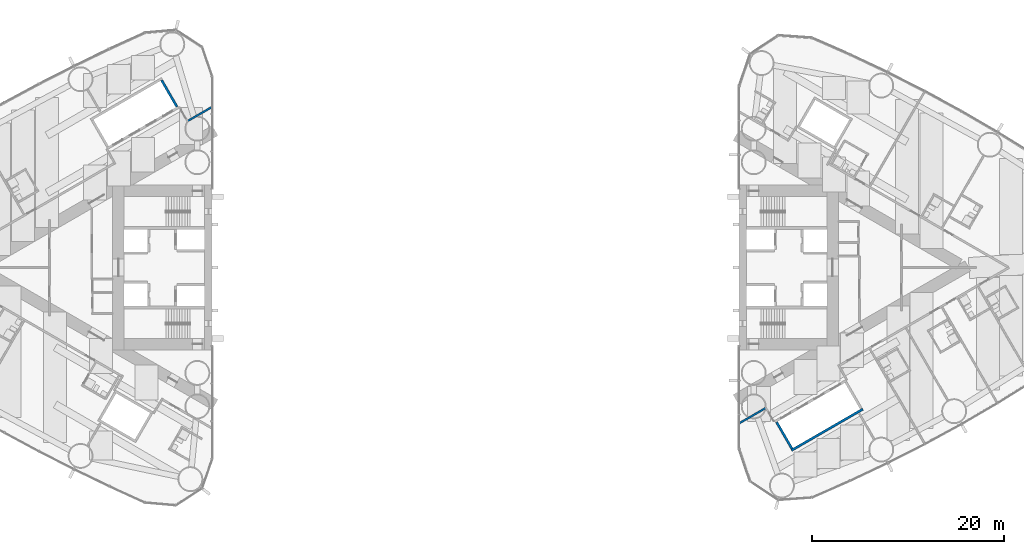
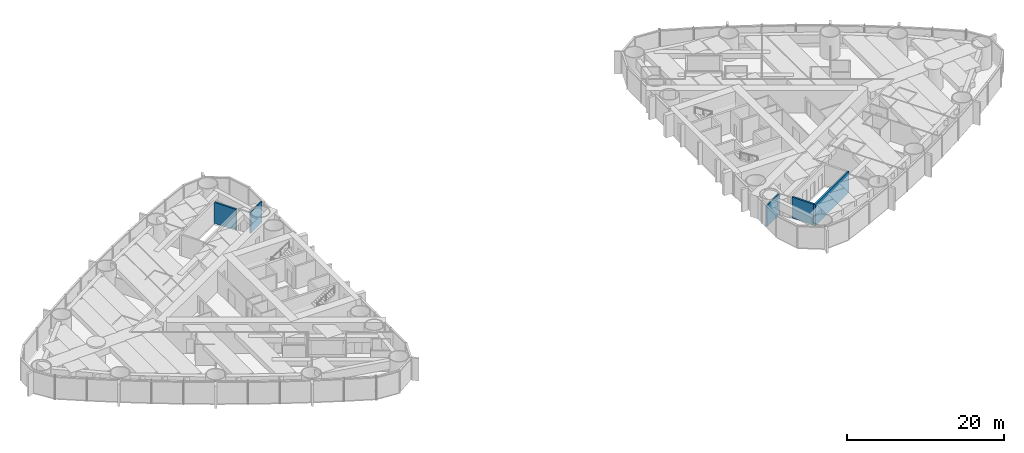
# One storey, part 13 of 19: 5 walls.
"""IFC4 building model written with IfcOpenShell, lengths in metres."""

from ifc_helpers import new_model, si_unit, direction, frame, frame_2d, origin, place, context, subcontext, project, spatial, rectangle, extrude, material, layer, layer_set, type_object, element, save


model = new_model("IFC4")

# Units and contexts
model_context = context("Model", 3, precision=1e-05, world=origin(), true_north=direction((0.0, 1.0)))
body_context = subcontext(model_context, "Body", "Model", "MODEL_VIEW")
ifc_project = project(units=[si_unit("LENGTHUNIT", "METRE"), si_unit("AREAUNIT", "SQUARE_METRE"), si_unit("VOLUMEUNIT", "CUBIC_METRE"), si_unit("PLANEANGLEUNIT", "RADIAN"), si_unit("MASSUNIT", "GRAM", prefix="KILO")], contexts=[model_context])

# Site, building, storey
site_placement = place(None, origin())
site = spatial("IfcSite", under=ifc_project, at=site_placement, CompositionType="ELEMENT")
building_placement = place(site_placement, origin())
building = spatial("IfcBuilding", under=site, at=building_placement, Name="Lancet Gate Hotel", CompositionType="ELEMENT")
storey_placement = place(building_placement, frame((0.0, 0.0, 90.60009765625)))
storey = spatial("IfcBuildingStorey", under=building, at=storey_placement, Name="L23", CompositionType="ELEMENT", Elevation=90.60009765625)

# Walls
ifc_material_1 = material(Name="Gypsum board partition")
ifc_layer_1 = layer(ifc_material_1, 0.199951171875)
ifc_layer_set_1 = layer_set([ifc_layer_1], Name="Corridor wall 200")
wall_type_1 = type_object("IfcWallType", Name="Corridor wall 200", PredefinedType="PARTITIONING", material=ifc_layer_set_1)
wall_1_placement = place(storey_placement, frame((-27.572021484375, 16.740966796875, 0.0), z_axis=(0.0, 0.0, 1.0), x_axis=(-0.866034618596, -0.499984039138, 0.0)))
element("IfcWall", 1, at=wall_1_placement, inside=storey, type_object=wall_type_1, Name="T1 corridor wall 200 L23", PredefinedType="PARTITIONING", context=body_context, shape_type="SweptSolid", body=[
    extrude(rectangle(XDim=2.8544921875, YDim=0.199951171875, at=frame_2d((1.42724609375, 0.0))), origin(), (0.0, 0.0, 1.0), 3.25),
])
wall_2_placement = place(storey_placement, frame((27.572021484375, -16.240966796875, 0.0), z_axis=(0.0, 0.0, 1.0), x_axis=(0.866029654818, 0.499992636921, 0.0)))
element("IfcWall", 2, at=wall_2_placement, inside=storey, type_object=wall_type_1, Name="T2 corridor wall 200 L23", PredefinedType="PARTITIONING", context=body_context, shape_type="SweptSolid", body=[
    extrude(rectangle(XDim=3.15478515625, YDim=0.199951171875, at=frame_2d((1.577392578125, 0.0))), origin(), (0.0, 0.0, 1.0), 3.25),
])
ifc_material_2 = material(Name="Gypsum board partition")
ifc_layer_2 = layer(ifc_material_2, 0.25)
ifc_layer_set_2 = layer_set([ifc_layer_2], Name="Lift shaft partition 250")
wall_type_2 = type_object("IfcWallType", Name="Lift shaft partition 250", PredefinedType="PARTITIONING", material=ifc_layer_set_2)
wall_3_placement = place(storey_placement, frame((-31.18115234375, 16.79296875, 0.0), z_axis=(0.0, 0.0, 1.0), x_axis=(-0.499929347863, 0.866066190972, 0.0)))
element("IfcWall", 3, at=wall_3_placement, inside=storey, type_object=wall_type_2, Name="T1 lift shaft wall LR L23", PredefinedType="PARTITIONING", context=body_context, shape_type="SweptSolid", body=[
    extrude(rectangle(XDim=3.20068359375, YDim=0.25, at=frame_2d((1.600341796875, 0.0))), origin(), (0.0, 0.0, 1.0), 3.25),
])
wall_4_placement = place(storey_placement, frame((32.99560546875, -19.085693359375, 0.0), z_axis=(0.0, 0.0, 1.0), x_axis=(0.866028165386, 0.499995216735, 0.0)))
element("IfcWall", 4, at=wall_4_placement, inside=storey, type_object=wall_type_2, Name="T2 lift shaft wall LR L23", PredefinedType="PARTITIONING", context=body_context, shape_type="SweptSolid", body=[
    extrude(rectangle(XDim=8.60009765625, YDim=0.25, at=frame_2d((4.300048828125, 0.0))), origin(), (0.0, 0.0, 1.0), 3.25),
])
wall_5_placement = place(storey_placement, frame((31.441162109375, -16.14306640625, 0.0), z_axis=(0.0, 0.0, 1.0), x_axis=(0.499929347863, -0.866066190972, 0.0)))
element("IfcWall", 5, at=wall_5_placement, inside=storey, type_object=wall_type_2, Name="T2 lift shaft wall LR L23", PredefinedType="PARTITIONING", context=body_context, shape_type="SweptSolid", body=[
    extrude(rectangle(XDim=3.20068359375, YDim=0.25, at=frame_2d((1.600341796875, 0.0))), origin(), (0.0, 0.0, 1.0), 3.25),
])

save(model, "model.ifc")
